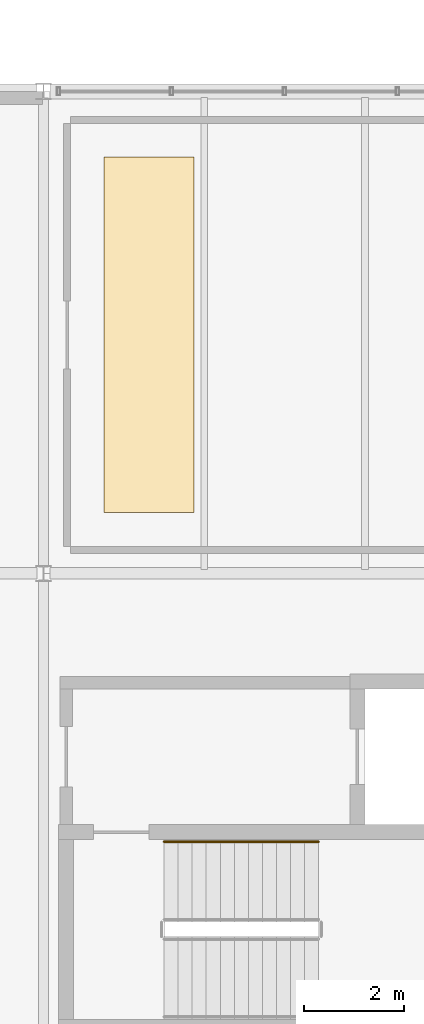
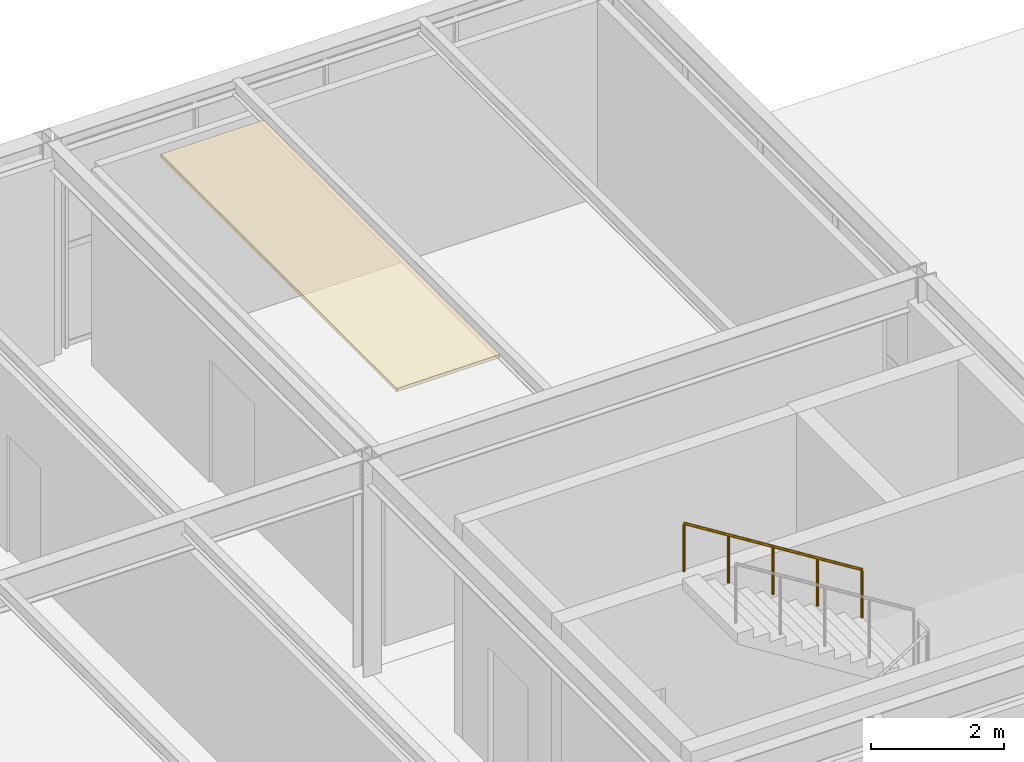
# One storey, part 49 of 50: 1 covering, 1 railing.
"""IFC4 building model written with IfcOpenShell, lengths in metres."""

import ifcopenshell
import ifcopenshell.guid

model = None  # the IFC model being written
_history = None  # IfcOwnerHistory: only IFC2X3 demands one
_inside = {}  # id of a spatial element -> (the spatial element, [elements in it])
_under = {}  # id of a project, library or spatial element -> (it, [spatial elements below it])
_declared = {}  # id of a project -> (the project, [libraries it declares])
_typed = {}  # id of a type object -> (the type object, [elements of that type])
_made_of = {}  # id of a material, layer set ... -> (it, [elements and type objects made of it])


def new_model(schema):
    """Start an empty IFC model of exactly this schema.

    Asked for "IFC4X3", IfcOpenShell would pick the latest addendum, in which some entities
    have other attributes; the version numbers below select the first issue.
    IFC2X3 requires an IfcOwnerHistory on every rooted entity: one is made here for all.
    """
    global model, _history
    if schema == "IFC4X3":
        model = ifcopenshell.file(schema_version=(4, 3, 0, 0))
    else:
        model = ifcopenshell.file(schema=schema)
    _inside.clear()
    _under.clear()
    _declared.clear()
    _typed.clear()
    _made_of.clear()
    _history = None
    if model.schema == "IFC2X3":
        org = make("IfcOrganization", Name="unknown")
        user = make(
            "IfcPersonAndOrganization",
            ThePerson=make("IfcPerson", FamilyName="unknown"),
            TheOrganization=org,
        )
        app = make(
            "IfcApplication",
            ApplicationDeveloper=org,
            Version="unknown",
            ApplicationFullName="unknown",
            ApplicationIdentifier="unknown",
        )
        _history = make(
            "IfcOwnerHistory",
            OwningUser=user,
            OwningApplication=app,
            ChangeAction="ADDED",
            CreationDate=0,
        )
    return model


def make(cls, **values):
    """One entity of the class cls with the attributes given. An attribute that is None is left unset."""
    return model.create_entity(
        cls, **{name: value for name, value in values.items() if value is not None}
    )


def rooted(cls, **values):
    """An entity with a GlobalId (a new one), such as an element, a storey or a relation."""
    return make(cls, GlobalId=ifcopenshell.guid.new(), OwnerHistory=_history, **values)


def si_unit(unit_type, name, prefix=None):
    """IfcSIUnit, for example si_unit("LENGTHUNIT", "METRE", prefix="MILLI")."""
    return make("IfcSIUnit", UnitType=unit_type, Prefix=prefix, Name=name)


def assignment(units):
    """IfcUnitAssignment: the units of a project."""
    return None if units is None else make("IfcUnitAssignment", Units=units)


def point(xyz):
    """IfcCartesianPoint."""
    return None if xyz is None else make("IfcCartesianPoint", Coordinates=xyz)


def direction(xyz):
    """IfcDirection."""
    return None if xyz is None else make("IfcDirection", DirectionRatios=xyz)


def frame(location, z_axis=None, x_axis=None):
    """IfcAxis2Placement3D, a coordinate frame: its origin and axes. An axis left out is left unset."""
    return make(
        "IfcAxis2Placement3D",
        Location=point(location),
        Axis=direction(z_axis),
        RefDirection=direction(x_axis),
    )


def frame_2d(location, x_axis=None):
    """IfcAxis2Placement2D, a coordinate frame in the plane: its origin and x axis."""
    return make(
        "IfcAxis2Placement2D", Location=point(location), RefDirection=direction(x_axis)
    )


def origin():
    """The frame at (0, 0, 0) with its axes left unset."""
    return frame((0.0, 0.0, 0.0))


def origin_2d():
    """The frame at (0, 0) in the plane with its x axis left unset."""
    return frame_2d((0.0, 0.0))


def place(relative_to, where):
    """IfcLocalPlacement: puts the frame where relative to a parent placement (None: the world)."""
    return make(
        "IfcLocalPlacement", PlacementRelTo=relative_to, RelativePlacement=where
    )


def context(
    kind, dimensions, precision=None, world=None, true_north=None, identifier=None
):
    """IfcGeometricRepresentationContext, for example the 3D "Model" context."""
    return make(
        "IfcGeometricRepresentationContext",
        ContextIdentifier=identifier,
        ContextType=kind,
        CoordinateSpaceDimension=dimensions,
        Precision=precision,
        WorldCoordinateSystem=world,
        TrueNorth=true_north,
    )


def subcontext(parent, identifier, kind, view, scale=None):
    """IfcGeometricRepresentationSubContext, for example "Body" below "Model"."""
    return make(
        "IfcGeometricRepresentationSubContext",
        ContextIdentifier=identifier,
        ContextType=kind,
        ParentContext=parent,
        TargetScale=scale,
        TargetView=view,
    )


def project(units=None, contexts=None):
    """IfcProject with its units and contexts."""
    return rooted(
        "IfcProject",
        Name="project",
        RepresentationContexts=contexts,
        UnitsInContext=assignment(units),
    )


def spatial(cls, under=None, at=None, **own):
    """A site, building, storey or space (cls), placed at a placement, below another one or the project."""
    s = rooted(cls, ObjectPlacement=at, **own)
    if under is not None:
        _under.setdefault(under.id(), (under, []))[1].append(s)
    return s


def polyline(points):
    """IfcPolyline through the points."""
    return make("IfcPolyline", Points=[point(p) for p in points])


def profile(cls, at=None, kind="AREA", **sizes):
    """A parametric profile (cls). Its sizes go by their IFC names, for example OverallWidth=200.0."""
    return make(cls, ProfileType=kind, Position=at, **sizes)


def circle(**sizes):
    """IfcCircleProfileDef."""
    return profile("IfcCircleProfileDef", **sizes)


def outline(outer, holes=None, kind="AREA"):
    """IfcArbitraryClosedProfileDef: a profile drawn as a closed curve; with holes, ...WithVoids."""
    if holes is None:
        return make("IfcArbitraryClosedProfileDef", ProfileType=kind, OuterCurve=outer)
    return make(
        "IfcArbitraryProfileDefWithVoids",
        ProfileType=kind,
        OuterCurve=outer,
        InnerCurves=holes,
    )


def extrude(swept, where, along, depth):
    """IfcExtrudedAreaSolid: the profile swept, set in the frame where, extruded along a direction by depth."""
    return make(
        "IfcExtrudedAreaSolid",
        SweptArea=swept,
        Position=where,
        ExtrudedDirection=direction(along),
        Depth=depth,
    )


def shape(context_of_items, identifier, shape_type, items):
    """IfcShapeRepresentation: the items that make up one representation, for example the "Body"."""
    return make(
        "IfcShapeRepresentation",
        ContextOfItems=context_of_items,
        RepresentationIdentifier=identifier,
        RepresentationType=shape_type,
        Items=items,
    )


def material(Name=None, Category=None):
    """IfcMaterial."""
    return make("IfcMaterial", Name=Name, Category=Category)


def layer(
    of_material, thickness, ventilated=None, Name=None, Category=None, Priority=None
):
    """IfcMaterialLayer: one layer of a wall or slab, of a material (None: an air gap)."""
    return make(
        "IfcMaterialLayer",
        Material=of_material,
        LayerThickness=thickness,
        IsVentilated=ventilated,
        Name=Name,
        Category=Category,
        Priority=Priority,
    )


def layer_set(layers, Name=None):
    """IfcMaterialLayerSet."""
    return make("IfcMaterialLayerSet", MaterialLayers=layers, LayerSetName=Name)


def made_of(thing, what):
    """Note that an element or type object is made of a material, layer set ...; save() writes the relation."""
    if what is not None:
        _made_of.setdefault(what.id(), (what, []))[1].append(thing)
    return thing


def type_object(cls, material=None, **own):
    """A type object (cls), such as IfcWallType, which elements share."""
    return made_of(rooted(cls, **own), material)


def element(
    cls,
    number,
    at=None,
    inside=None,
    cuts=None,
    type_object=None,
    material=None,
    context=None,
    identifier="Body",
    shape_type=None,
    held_by="IfcProductDefinitionShape",
    body=None,
    shapes=None,
    **own,
):
    """One element of the class cls, such as IfcWall. Its Tag is "e" and its number.

    at: its placement. inside: the storey or other place that contains it. cuts: it is an
    opening in that element (IfcRelVoidsElement). A single representation is given by context,
    identifier, shape_type and body (its items); several are given by shapes. held_by: the class
    of the entity that holds the representations. save() writes the other relations.
    """
    e = rooted(cls, Tag="e%d" % number, ObjectPlacement=at, **own)
    if body is not None:
        shapes = [shape(context, identifier, shape_type, body)]
    if shapes is not None:
        e.Representation = make(held_by, Representations=shapes)
    if inside is not None:
        _inside.setdefault(inside.id(), (inside, []))[1].append(e)
    if cuts is not None:
        rooted(
            "IfcRelVoidsElement", RelatingBuildingElement=cuts, RelatedOpeningElement=e
        )
    if type_object is not None:
        _typed.setdefault(type_object.id(), (type_object, []))[1].append(e)
    return made_of(e, material)


def aggregate(whole, parts):
    """IfcRelAggregates: a whole, such as a stair, and the parts it consists of."""
    return rooted("IfcRelAggregates", RelatingObject=whole, RelatedObjects=parts)


def save(model, path):
    """Write the relations noted so far, then the file.

    IfcRelAggregates (storeys below a building ...), IfcRelContainedInSpatialStructure (elements
    in a storey), IfcRelDefinesByType, IfcRelAssociatesMaterial and IfcRelDeclares: one each for
    every whole, place, type object, material and project.
    """
    for whole, parts in _under.values():
        aggregate(whole, parts)
    for where, things in _inside.values():
        rooted(
            "IfcRelContainedInSpatialStructure",
            RelatedElements=things,
            RelatingStructure=where,
        )
    for kind, things in _typed.values():
        rooted("IfcRelDefinesByType", RelatedObjects=things, RelatingType=kind)
    for what, things in _made_of.values():
        rooted("IfcRelAssociatesMaterial", RelatedObjects=things, RelatingMaterial=what)
    for by, libraries in _declared.values():
        rooted("IfcRelDeclares", RelatingContext=by, RelatedDefinitions=libraries)
    model.write(path)


model = new_model("IFC4")

# Units and contexts
model_context = context("Model", 3, precision=1e-05, world=origin(), true_north=direction((0.0, 1.0)))
body_context = subcontext(model_context, "Body", "Model", "MODEL_VIEW")
ifc_project = project(units=[si_unit("LENGTHUNIT", "METRE"), si_unit("AREAUNIT", "SQUARE_METRE"), si_unit("VOLUMEUNIT", "CUBIC_METRE"), si_unit("PLANEANGLEUNIT", "RADIAN"), si_unit("MASSUNIT", "GRAM", prefix="KILO")], contexts=[model_context])

# Site, building, storey
site_placement = place(None, origin())
site = spatial("IfcSite", under=ifc_project, at=site_placement, CompositionType="ELEMENT")
building_placement = place(site_placement, origin())
building = spatial("IfcBuilding", under=site, at=building_placement, Name="Coralgate Yard Interchange", CompositionType="ELEMENT")
storey_placement = place(building_placement, frame((0.0, 0.0, 14.699951171875)))
storey = spatial("IfcBuildingStorey", under=building, at=storey_placement, Name="L03", CompositionType="ELEMENT", Elevation=14.699951171875)

# Covering
ifc_material_1 = material(Name="Mineral-fibre acoustic baffle ceiling panel")
ifc_layer = layer(ifc_material_1, 0.06005859375)
ifc_layer_set = layer_set([ifc_layer], Name="Mineral-fibre acoustic baffle ceiling panel")
covering_type = type_object("IfcCoveringType", Name="COV-CEL2", PredefinedType="CEILING", material=ifc_layer_set)
covering_placement = place(storey_placement, frame((0.0, 0.0, 3.925048828125)))
element("IfcCovering", 1, at=covering_placement, inside=storey, type_object=covering_type, Name="Occupational Health and First-Aid Suite acoustic soffit panel", PredefinedType="CEILING", context=body_context, shape_type="SweptSolid", body=[
    extrude(outline(polyline([(10.81005859375, 39.610107421875), (12.60009765625, 39.610107421875), (12.60009765625, 46.68994140625), (10.81005859375, 46.68994140625), (10.81005859375, 39.610107421875)])), origin(), (0.0, 0.0, 1.0), 0.06005859375),
])

# Railing
ifc_material_2 = material(Name="Grade 316 marine stainless steel", Category="steel")
railing_type = type_object("IfcRailingType", Name="RLG-HR900", PredefinedType="HANDRAIL", material=ifc_material_2)
railing_placement = place(storey_placement, frame((15.080078125, 33.06005859375, 2.275146484375)))
element("IfcRailing", 2, at=railing_placement, inside=storey, type_object=railing_type, Name="L03 ST-01 stair handrail 2", PredefinedType="HANDRAIL", context=body_context, shape_type="SweptSolid", body=[
    extrude(circle(Radius=0.02392578125, at=origin_2d()), frame((0.0, 0.0, 0.8759765625), z_axis=(-0.848028513186, 0.0, 0.529950602248), x_axis=(0.0, -1.0, 0.0)), (0.0, 0.0, 1.0), 3.632080078125),
    extrude(circle(Radius=0.02099609375, at=origin_2d()), origin(), (0.0, 0.0, 1.0), 0.851318359375),
    extrude(circle(Radius=0.02099609375, at=origin_2d()), frame((-0.77001953125, 0.0, 0.481201171875)), (0.0, 0.0, 1.0), 0.851318359375),
    extrude(circle(Radius=0.02099609375, at=origin_2d()), frame((-1.5400390625, 0.0, 0.96240234375)), (0.0, 0.0, 1.0), 0.851318359375),
    extrude(circle(Radius=0.02099609375, at=origin_2d()), frame((-2.31005859375, 0.0, 1.443603515625)), (0.0, 0.0, 1.0), 0.851318359375),
    extrude(circle(Radius=0.02099609375, at=origin_2d()), frame((-3.080078125, 0.0, 1.9248046875)), (0.0, 0.0, 1.0), 0.851318359375),
])

save(model, "model.ifc")
